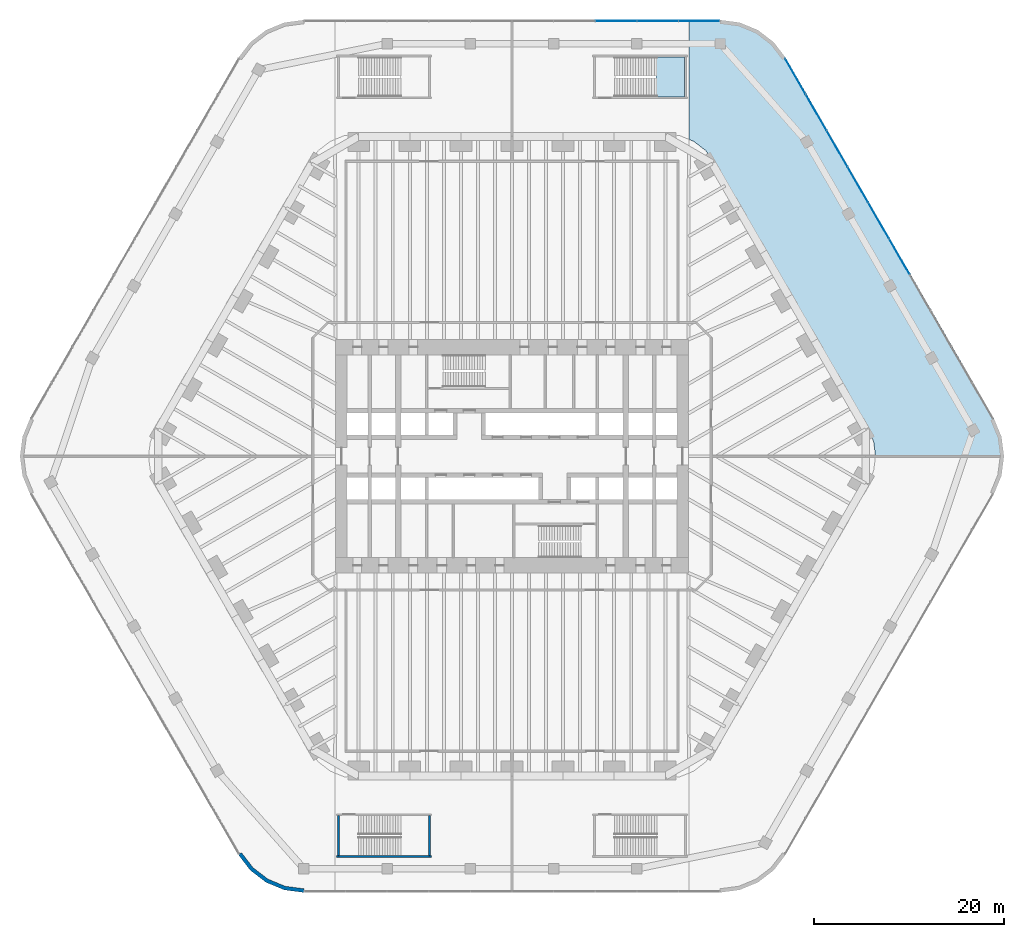
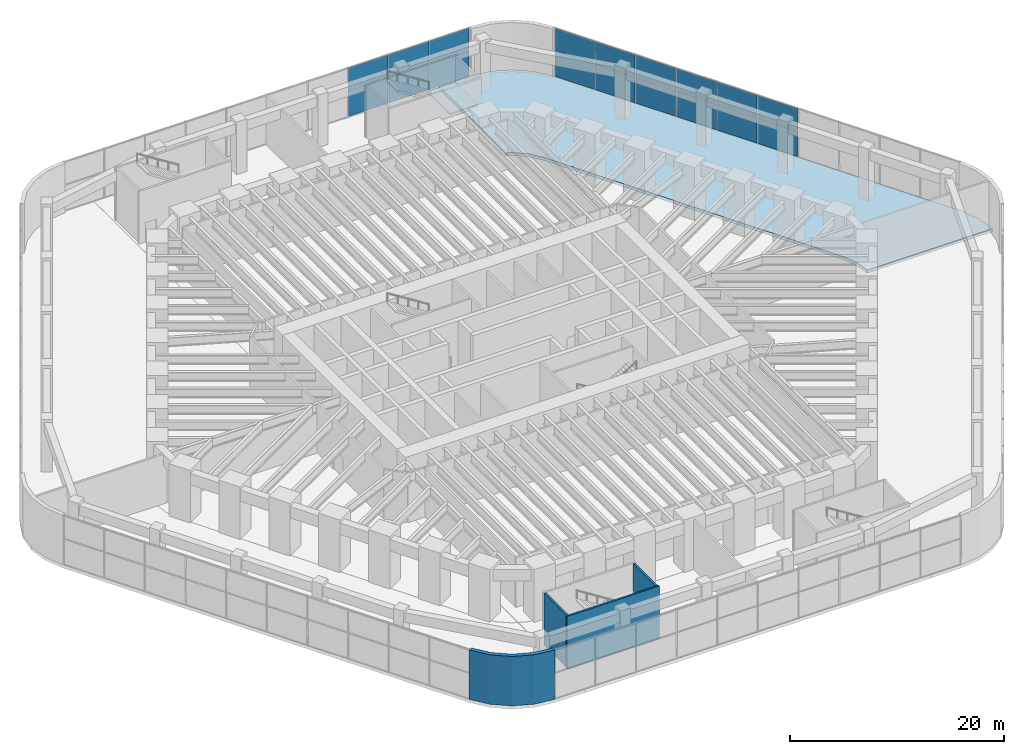
# One storey, part 25 of 31: 18 plates, 4 walls, 2 slabs, 3 elements without a shape of their own.
"""IFC4 building model written with IfcOpenShell, lengths in metres."""

import ifcopenshell
import ifcopenshell.guid

model = None  # the IFC model being written
_history = None  # IfcOwnerHistory: only IFC2X3 demands one
_inside = {}  # id of a spatial element -> (the spatial element, [elements in it])
_under = {}  # id of a project, library or spatial element -> (it, [spatial elements below it])
_declared = {}  # id of a project -> (the project, [libraries it declares])
_typed = {}  # id of a type object -> (the type object, [elements of that type])
_made_of = {}  # id of a material, layer set ... -> (it, [elements and type objects made of it])


def new_model(schema):
    """Start an empty IFC model of exactly this schema.

    Asked for "IFC4X3", IfcOpenShell would pick the latest addendum, in which some entities
    have other attributes; the version numbers below select the first issue.
    IFC2X3 requires an IfcOwnerHistory on every rooted entity: one is made here for all.
    """
    global model, _history
    if schema == "IFC4X3":
        model = ifcopenshell.file(schema_version=(4, 3, 0, 0))
    else:
        model = ifcopenshell.file(schema=schema)
    _inside.clear()
    _under.clear()
    _declared.clear()
    _typed.clear()
    _made_of.clear()
    _history = None
    if model.schema == "IFC2X3":
        org = make("IfcOrganization", Name="unknown")
        user = make(
            "IfcPersonAndOrganization",
            ThePerson=make("IfcPerson", FamilyName="unknown"),
            TheOrganization=org,
        )
        app = make(
            "IfcApplication",
            ApplicationDeveloper=org,
            Version="unknown",
            ApplicationFullName="unknown",
            ApplicationIdentifier="unknown",
        )
        _history = make(
            "IfcOwnerHistory",
            OwningUser=user,
            OwningApplication=app,
            ChangeAction="ADDED",
            CreationDate=0,
        )
    return model


def make(cls, **values):
    """One entity of the class cls with the attributes given. An attribute that is None is left unset."""
    return model.create_entity(
        cls, **{name: value for name, value in values.items() if value is not None}
    )


def rooted(cls, **values):
    """An entity with a GlobalId (a new one), such as an element, a storey or a relation."""
    return make(cls, GlobalId=ifcopenshell.guid.new(), OwnerHistory=_history, **values)


def si_unit(unit_type, name, prefix=None):
    """IfcSIUnit, for example si_unit("LENGTHUNIT", "METRE", prefix="MILLI")."""
    return make("IfcSIUnit", UnitType=unit_type, Prefix=prefix, Name=name)


def assignment(units):
    """IfcUnitAssignment: the units of a project."""
    return None if units is None else make("IfcUnitAssignment", Units=units)


def point(xyz):
    """IfcCartesianPoint."""
    return None if xyz is None else make("IfcCartesianPoint", Coordinates=xyz)


def direction(xyz):
    """IfcDirection."""
    return None if xyz is None else make("IfcDirection", DirectionRatios=xyz)


def frame(location, z_axis=None, x_axis=None):
    """IfcAxis2Placement3D, a coordinate frame: its origin and axes. An axis left out is left unset."""
    return make(
        "IfcAxis2Placement3D",
        Location=point(location),
        Axis=direction(z_axis),
        RefDirection=direction(x_axis),
    )


def frame_2d(location, x_axis=None):
    """IfcAxis2Placement2D, a coordinate frame in the plane: its origin and x axis."""
    return make(
        "IfcAxis2Placement2D", Location=point(location), RefDirection=direction(x_axis)
    )


def origin():
    """The frame at (0, 0, 0) with its axes left unset."""
    return frame((0.0, 0.0, 0.0))


def origin_2d():
    """The frame at (0, 0) in the plane with its x axis left unset."""
    return frame_2d((0.0, 0.0))


def place(relative_to, where):
    """IfcLocalPlacement: puts the frame where relative to a parent placement (None: the world)."""
    return make(
        "IfcLocalPlacement", PlacementRelTo=relative_to, RelativePlacement=where
    )


def context(
    kind, dimensions, precision=None, world=None, true_north=None, identifier=None
):
    """IfcGeometricRepresentationContext, for example the 3D "Model" context."""
    return make(
        "IfcGeometricRepresentationContext",
        ContextIdentifier=identifier,
        ContextType=kind,
        CoordinateSpaceDimension=dimensions,
        Precision=precision,
        WorldCoordinateSystem=world,
        TrueNorth=true_north,
    )


def subcontext(parent, identifier, kind, view, scale=None):
    """IfcGeometricRepresentationSubContext, for example "Body" below "Model"."""
    return make(
        "IfcGeometricRepresentationSubContext",
        ContextIdentifier=identifier,
        ContextType=kind,
        ParentContext=parent,
        TargetScale=scale,
        TargetView=view,
    )


def project(units=None, contexts=None):
    """IfcProject with its units and contexts."""
    return rooted(
        "IfcProject",
        Name="project",
        RepresentationContexts=contexts,
        UnitsInContext=assignment(units),
    )


def spatial(cls, under=None, at=None, **own):
    """A site, building, storey or space (cls), placed at a placement, below another one or the project."""
    s = rooted(cls, ObjectPlacement=at, **own)
    if under is not None:
        _under.setdefault(under.id(), (under, []))[1].append(s)
    return s


def polyline(points):
    """IfcPolyline through the points."""
    return make("IfcPolyline", Points=[point(p) for p in points])


def profile(cls, at=None, kind="AREA", **sizes):
    """A parametric profile (cls). Its sizes go by their IFC names, for example OverallWidth=200.0."""
    return make(cls, ProfileType=kind, Position=at, **sizes)


def rectangle(**sizes):
    """IfcRectangleProfileDef."""
    return profile("IfcRectangleProfileDef", **sizes)


def outline(outer, holes=None, kind="AREA"):
    """IfcArbitraryClosedProfileDef: a profile drawn as a closed curve; with holes, ...WithVoids."""
    if holes is None:
        return make("IfcArbitraryClosedProfileDef", ProfileType=kind, OuterCurve=outer)
    return make(
        "IfcArbitraryProfileDefWithVoids",
        ProfileType=kind,
        OuterCurve=outer,
        InnerCurves=holes,
    )


def extrude(swept, where, along, depth):
    """IfcExtrudedAreaSolid: the profile swept, set in the frame where, extruded along a direction by depth."""
    return make(
        "IfcExtrudedAreaSolid",
        SweptArea=swept,
        Position=where,
        ExtrudedDirection=direction(along),
        Depth=depth,
    )


def shape(context_of_items, identifier, shape_type, items):
    """IfcShapeRepresentation: the items that make up one representation, for example the "Body"."""
    return make(
        "IfcShapeRepresentation",
        ContextOfItems=context_of_items,
        RepresentationIdentifier=identifier,
        RepresentationType=shape_type,
        Items=items,
    )


def material(Name=None, Category=None):
    """IfcMaterial."""
    return make("IfcMaterial", Name=Name, Category=Category)


def layer(
    of_material, thickness, ventilated=None, Name=None, Category=None, Priority=None
):
    """IfcMaterialLayer: one layer of a wall or slab, of a material (None: an air gap)."""
    return make(
        "IfcMaterialLayer",
        Material=of_material,
        LayerThickness=thickness,
        IsVentilated=ventilated,
        Name=Name,
        Category=Category,
        Priority=Priority,
    )


def layer_set(layers, Name=None):
    """IfcMaterialLayerSet."""
    return make("IfcMaterialLayerSet", MaterialLayers=layers, LayerSetName=Name)


def made_of(thing, what):
    """Note that an element or type object is made of a material, layer set ...; save() writes the relation."""
    if what is not None:
        _made_of.setdefault(what.id(), (what, []))[1].append(thing)
    return thing


def type_object(cls, material=None, **own):
    """A type object (cls), such as IfcWallType, which elements share."""
    return made_of(rooted(cls, **own), material)


def element(
    cls,
    number,
    at=None,
    inside=None,
    cuts=None,
    type_object=None,
    material=None,
    context=None,
    identifier="Body",
    shape_type=None,
    held_by="IfcProductDefinitionShape",
    body=None,
    shapes=None,
    **own,
):
    """One element of the class cls, such as IfcWall. Its Tag is "e" and its number.

    at: its placement. inside: the storey or other place that contains it. cuts: it is an
    opening in that element (IfcRelVoidsElement). A single representation is given by context,
    identifier, shape_type and body (its items); several are given by shapes. held_by: the class
    of the entity that holds the representations. save() writes the other relations.
    """
    e = rooted(cls, Tag="e%d" % number, ObjectPlacement=at, **own)
    if body is not None:
        shapes = [shape(context, identifier, shape_type, body)]
    if shapes is not None:
        e.Representation = make(held_by, Representations=shapes)
    if inside is not None:
        _inside.setdefault(inside.id(), (inside, []))[1].append(e)
    if cuts is not None:
        rooted(
            "IfcRelVoidsElement", RelatingBuildingElement=cuts, RelatedOpeningElement=e
        )
    if type_object is not None:
        _typed.setdefault(type_object.id(), (type_object, []))[1].append(e)
    return made_of(e, material)


def aggregate(whole, parts):
    """IfcRelAggregates: a whole, such as a stair, and the parts it consists of."""
    return rooted("IfcRelAggregates", RelatingObject=whole, RelatedObjects=parts)


def save(model, path):
    """Write the relations noted so far, then the file.

    IfcRelAggregates (storeys below a building ...), IfcRelContainedInSpatialStructure (elements
    in a storey), IfcRelDefinesByType, IfcRelAssociatesMaterial and IfcRelDeclares: one each for
    every whole, place, type object, material and project.
    """
    for whole, parts in _under.values():
        aggregate(whole, parts)
    for where, things in _inside.values():
        rooted(
            "IfcRelContainedInSpatialStructure",
            RelatedElements=things,
            RelatingStructure=where,
        )
    for kind, things in _typed.values():
        rooted("IfcRelDefinesByType", RelatedObjects=things, RelatingType=kind)
    for what, things in _made_of.values():
        rooted("IfcRelAssociatesMaterial", RelatedObjects=things, RelatingMaterial=what)
    for by, libraries in _declared.values():
        rooted("IfcRelDeclares", RelatingContext=by, RelatedDefinitions=libraries)
    model.write(path)


model = new_model("IFC4")

# Units and contexts
model_context = context("Model", 3, precision=1e-05, world=origin(), true_north=direction((0.0, 1.0)))
body_context = subcontext(model_context, "Body", "Model", "MODEL_VIEW")
ifc_project = project(units=[si_unit("LENGTHUNIT", "METRE"), si_unit("AREAUNIT", "SQUARE_METRE"), si_unit("VOLUMEUNIT", "CUBIC_METRE"), si_unit("PLANEANGLEUNIT", "RADIAN"), si_unit("MASSUNIT", "GRAM", prefix="KILO")], contexts=[model_context])

# Site, building, storey
site_placement = place(None, origin())
site = spatial("IfcSite", under=ifc_project, at=site_placement, CompositionType="ELEMENT")
building_placement = place(site_placement, origin())
building = spatial("IfcBuilding", under=site, at=building_placement, Name="Tarfa Lantern Tower", CompositionType="ELEMENT")
storey_placement = place(building_placement, frame((0.0, 0.0, 7.0)))
storey = spatial("IfcBuildingStorey", under=building, at=storey_placement, Name="L01", CompositionType="ELEMENT", Elevation=7.0)

# Curtain wall, plates
ifc_material_1 = material(Name="Aluminium framed curtain wall", Category="aluminium")
curtain_wall_type = type_object("IfcCurtainWallType", Name="CW7 PODIUM GLAZING 5650", PredefinedType="USERDEFINED", material=ifc_material_1)
curtain_wall_1_placement = place(storey_placement, origin())
curtain_wall_1 = element("IfcCurtainWall", 1, at=curtain_wall_1_placement, inside=storey, type_object=curtain_wall_type, Name="CW7 NE L01", ObjectType="CURTAIN WALL", PredefinedType="USERDEFINED")
ifc_material_2 = material(Name="Laminated double glazing", Category="glass")
ifc_layer_1 = layer(ifc_material_2, 0.028076171875)
ifc_layer_set_1 = layer_set([ifc_layer_1], Name="CWP1 DOUBLE GLAZED PANEL")
plate_type = type_object("IfcPlateType", Name="CWP1 DOUBLE GLAZED PANEL", PredefinedType="CURTAIN_PANEL", material=ifc_layer_set_1)
plate_1_placement = place(storey_placement, frame((40.847412109375, 21.050048828125, 0.06494140625), z_axis=(0.0, 0.0, 1.0), x_axis=(-0.5, 0.866025403784, 0.0)))
plate_1 = element("IfcPlate", 2, at=plate_1_placement, type_object=plate_type, Name="CW7 panel 5.1", PredefinedType="CURTAIN_PANEL", context=body_context, shape_type="SweptSolid", body=[
    extrude(rectangle(XDim=4.32275390625, YDim=0.028076171875, at=origin_2d()), origin(), (0.0, 0.0, 1.0), 2.902587890625),
])
plate_2_placement = place(storey_placement, frame((40.847412109375, 21.050048828125, 3.03271484375), z_axis=(0.0, 0.0, 1.0), x_axis=(-0.5, 0.866025403784, 0.0)))
plate_2 = element("IfcPlate", 3, at=plate_2_placement, type_object=plate_type, Name="CW7 panel 5.2", PredefinedType="CURTAIN_PANEL", context=body_context, shape_type="SweptSolid", body=[
    extrude(rectangle(XDim=4.32275390625, YDim=0.028076171875, at=origin_2d()), origin(), (0.0, 0.0, 1.0), 2.552490234375),
])
plate_3_placement = place(storey_placement, frame((38.653564453125, 24.85009765625, 0.06494140625), z_axis=(0.0, 0.0, 1.0), x_axis=(-0.5, 0.866025403784, 0.0)))
plate_3 = element("IfcPlate", 4, at=plate_3_placement, type_object=plate_type, Name="CW7 panel 6.1", PredefinedType="CURTAIN_PANEL", context=body_context, shape_type="SweptSolid", body=[
    extrude(rectangle(XDim=4.32275390625, YDim=0.028076171875, at=origin_2d()), origin(), (0.0, 0.0, 1.0), 2.902587890625),
])
plate_4_placement = place(storey_placement, frame((38.653564453125, 24.85009765625, 3.03271484375), z_axis=(0.0, 0.0, 1.0), x_axis=(-0.5, 0.866025403784, 0.0)))
plate_4 = element("IfcPlate", 5, at=plate_4_placement, type_object=plate_type, Name="CW7 panel 6.2", PredefinedType="CURTAIN_PANEL", context=body_context, shape_type="SweptSolid", body=[
    extrude(rectangle(XDim=4.32275390625, YDim=0.028076171875, at=origin_2d()), origin(), (0.0, 0.0, 1.0), 2.552490234375),
])
plate_5_placement = place(storey_placement, frame((36.459716796875, 28.64990234375, 0.06494140625), z_axis=(0.0, 0.0, 1.0), x_axis=(-0.5, 0.866025403784, 0.0)))
plate_5 = element("IfcPlate", 6, at=plate_5_placement, type_object=plate_type, Name="CW7 panel 7.1", PredefinedType="CURTAIN_PANEL", context=body_context, shape_type="SweptSolid", body=[
    extrude(rectangle(XDim=4.32275390625, YDim=0.028076171875, at=origin_2d()), origin(), (0.0, 0.0, 1.0), 2.902587890625),
])
plate_6_placement = place(storey_placement, frame((36.459716796875, 28.64990234375, 3.03271484375), z_axis=(0.0, 0.0, 1.0), x_axis=(-0.5, 0.866025403784, 0.0)))
plate_6 = element("IfcPlate", 7, at=plate_6_placement, type_object=plate_type, Name="CW7 panel 7.2", PredefinedType="CURTAIN_PANEL", context=body_context, shape_type="SweptSolid", body=[
    extrude(rectangle(XDim=4.32275390625, YDim=0.028076171875, at=origin_2d()), origin(), (0.0, 0.0, 1.0), 2.552490234375),
])
plate_7_placement = place(storey_placement, frame((34.265625, 32.449951171875, 0.06494140625), z_axis=(0.0, 0.0, 1.0), x_axis=(-0.5, 0.866025403784, 0.0)))
plate_7 = element("IfcPlate", 8, at=plate_7_placement, type_object=plate_type, Name="CW7 panel 8.1", PredefinedType="CURTAIN_PANEL", context=body_context, shape_type="SweptSolid", body=[
    extrude(rectangle(XDim=4.32275390625, YDim=0.028076171875, at=origin_2d()), origin(), (0.0, 0.0, 1.0), 2.902587890625),
])
plate_8_placement = place(storey_placement, frame((34.265625, 32.449951171875, 3.03271484375), z_axis=(0.0, 0.0, 1.0), x_axis=(-0.5, 0.866025403784, 0.0)))
plate_8 = element("IfcPlate", 9, at=plate_8_placement, type_object=plate_type, Name="CW7 panel 8.2", PredefinedType="CURTAIN_PANEL", context=body_context, shape_type="SweptSolid", body=[
    extrude(rectangle(XDim=4.32275390625, YDim=0.028076171875, at=origin_2d()), origin(), (0.0, 0.0, 1.0), 2.552490234375),
])
plate_9_placement = place(storey_placement, frame((32.07177734375, 36.25, 0.06494140625), z_axis=(0.0, 0.0, 1.0), x_axis=(-0.5, 0.866025403784, 0.0)))
plate_9 = element("IfcPlate", 10, at=plate_9_placement, type_object=plate_type, Name="CW7 panel 9.1", PredefinedType="CURTAIN_PANEL", context=body_context, shape_type="SweptSolid", body=[
    extrude(rectangle(XDim=4.32275390625, YDim=0.028076171875, at=origin_2d()), origin(), (0.0, 0.0, 1.0), 2.902587890625),
])
plate_10_placement = place(storey_placement, frame((32.07177734375, 36.25, 3.03271484375), z_axis=(0.0, 0.0, 1.0), x_axis=(-0.5, 0.866025403784, 0.0)))
plate_10 = element("IfcPlate", 11, at=plate_10_placement, type_object=plate_type, Name="CW7 panel 9.2", PredefinedType="CURTAIN_PANEL", context=body_context, shape_type="SweptSolid", body=[
    extrude(rectangle(XDim=4.32275390625, YDim=0.028076171875, at=origin_2d()), origin(), (0.0, 0.0, 1.0), 2.552490234375),
])
plate_11_placement = place(storey_placement, frame((29.885986328125, 40.035888671875, 0.06494140625), z_axis=(0.0, 0.0, 1.0), x_axis=(-0.5, 0.866025403784, 0.0)))
plate_11 = element("IfcPlate", 12, at=plate_11_placement, type_object=plate_type, Name="CW7 panel 10.1", PredefinedType="CURTAIN_PANEL", context=body_context, shape_type="SweptSolid", body=[
    extrude(rectangle(XDim=4.290283203125, YDim=0.028076171875, at=origin_2d()), origin(), (0.0, 0.0, 1.0), 2.902587890625),
])
plate_12_placement = place(storey_placement, frame((29.885986328125, 40.035888671875, 3.03271484375), z_axis=(0.0, 0.0, 1.0), x_axis=(-0.5, 0.866025403784, 0.0)))
plate_12 = element("IfcPlate", 13, at=plate_12_placement, type_object=plate_type, Name="CW7 panel 10.2", PredefinedType="CURTAIN_PANEL", context=body_context, shape_type="SweptSolid", body=[
    extrude(rectangle(XDim=4.290283203125, YDim=0.028076171875, at=origin_2d()), origin(), (0.0, 0.0, 1.0), 2.552490234375),
])
aggregate(curtain_wall_1, [plate_1, plate_2, plate_3, plate_4, plate_5, plate_6, plate_7, plate_8, plate_9, plate_10, plate_11, plate_12])

curtain_wall_2_placement = place(storey_placement, origin())
curtain_wall_2 = element("IfcCurtainWall", 14, at=curtain_wall_2_placement, inside=storey, type_object=curtain_wall_type, Name="CW7 N L01", ObjectType="CURTAIN WALL", PredefinedType="USERDEFINED")
plate_13_placement = place(storey_placement, frame((19.729248046875, 45.89990234375, 0.06494140625), z_axis=(0.0, 0.0, 1.0), x_axis=(-1.0, 0.0, 0.0)))
plate_13 = element("IfcPlate", 15, at=plate_13_placement, type_object=plate_type, Name="CW7 panel 1.1", PredefinedType="CURTAIN_PANEL", context=body_context, shape_type="SweptSolid", body=[
    extrude(rectangle(XDim=4.290283203125, YDim=0.028076171875, at=origin_2d()), origin(), (0.0, 0.0, 1.0), 2.902587890625),
])
plate_14_placement = place(storey_placement, frame((19.729248046875, 45.89990234375, 3.03271484375), z_axis=(0.0, 0.0, 1.0), x_axis=(-1.0, 0.0, 0.0)))
plate_14 = element("IfcPlate", 16, at=plate_14_placement, type_object=plate_type, Name="CW7 panel 1.2", PredefinedType="CURTAIN_PANEL", context=body_context, shape_type="SweptSolid", body=[
    extrude(rectangle(XDim=4.290283203125, YDim=0.028076171875, at=origin_2d()), origin(), (0.0, 0.0, 1.0), 2.552490234375),
])
plate_15_placement = place(storey_placement, frame((15.357421875, 45.89990234375, 0.06494140625), z_axis=(0.0, 0.0, 1.0), x_axis=(-1.0, 0.0, 0.0)))
plate_15 = element("IfcPlate", 17, at=plate_15_placement, type_object=plate_type, Name="CW7 panel 2.1", PredefinedType="CURTAIN_PANEL", context=body_context, shape_type="SweptSolid", body=[
    extrude(rectangle(XDim=4.32275390625, YDim=0.028076171875, at=origin_2d()), origin(), (0.0, 0.0, 1.0), 2.902587890625),
])
plate_16_placement = place(storey_placement, frame((15.357421875, 45.89990234375, 3.03271484375), z_axis=(0.0, 0.0, 1.0), x_axis=(-1.0, 0.0, 0.0)))
plate_16 = element("IfcPlate", 18, at=plate_16_placement, type_object=plate_type, Name="CW7 panel 2.2", PredefinedType="CURTAIN_PANEL", context=body_context, shape_type="SweptSolid", body=[
    extrude(rectangle(XDim=4.32275390625, YDim=0.028076171875, at=origin_2d()), origin(), (0.0, 0.0, 1.0), 2.552490234375),
])
plate_17_placement = place(storey_placement, frame((10.9697265625, 45.89990234375, 0.06494140625), z_axis=(0.0, 0.0, 1.0), x_axis=(-1.0, 0.0, 0.0)))
plate_17 = element("IfcPlate", 19, at=plate_17_placement, type_object=plate_type, Name="CW7 panel 3.1", PredefinedType="CURTAIN_PANEL", context=body_context, shape_type="SweptSolid", body=[
    extrude(rectangle(XDim=4.32275390625, YDim=0.028076171875, at=origin_2d()), origin(), (0.0, 0.0, 1.0), 2.902587890625),
])
plate_18_placement = place(storey_placement, frame((10.9697265625, 45.89990234375, 3.03271484375), z_axis=(0.0, 0.0, 1.0), x_axis=(-1.0, 0.0, 0.0)))
plate_18 = element("IfcPlate", 20, at=plate_18_placement, type_object=plate_type, Name="CW7 panel 3.2", PredefinedType="CURTAIN_PANEL", context=body_context, shape_type="SweptSolid", body=[
    extrude(rectangle(XDim=4.32275390625, YDim=0.028076171875, at=origin_2d()), origin(), (0.0, 0.0, 1.0), 2.552490234375),
])
aggregate(curtain_wall_2, [plate_13, plate_14, plate_15, plate_16, plate_17, plate_18])

# Slab
ifc_material_3 = material(Name="Concrete C40/50", Category="concrete")
ifc_layer_2 = layer(ifc_material_3, 0.35009765625)
ifc_layer_set_2 = layer_set([ifc_layer_2], Name="FS3 FLOOR SLAB 350")
slab_type_1 = type_object("IfcSlabType", Name="FS3 FLOOR SLAB 350", PredefinedType="FLOOR", material=ifc_layer_set_2)
slab_1_placement = place(storey_placement, frame((0.0, 0.0, -0.35009765625)))
element("IfcSlab", 21, at=slab_1_placement, inside=storey, type_object=slab_type_1, Name="Floor slab L01 podium-NE bay", PredefinedType="FLOOR", context=body_context, shape_type="SweptSolid", body=[
    extrude(outline(polyline([(50.804931640625, 3.9990234375), (28.865966796875, 41.998779296875), (27.5947265625, 43.655517578125), (25.938232421875, 44.926513671875), (24.00927734375, 45.725341796875), (21.939208984375, 45.998046875), (18.673828125, 45.998046875), (18.64697265625, 33.4130859375), (19.166748046875, 33.197998046875), (20.409912109375, 32.244140625), (21.363525390625, 31.001220703125), (37.529541015625, 3.0009765625), (38.129150390625, 1.553466796875), (38.333251953125, 0.001953125), (51.876220703125, 0.001953125), (51.60400390625, 2.070068359375), (50.804931640625, 3.9990234375)])), origin(), (0.0, 0.0, 1.0), 0.35009765625),
])

# Stair, slab
stair_type = type_object("IfcStairType", Name="ST-T6 HALF-TURN STAIR 6000 RISE", PredefinedType="HALF_TURN_STAIR", material=ifc_material_3)
stair_placement = place(storey_placement, origin())
stair = element("IfcStair", 22, at=stair_placement, inside=storey, type_object=stair_type, Name="Stair ST3", PredefinedType="HALF_TURN_STAIR")
ifc_layer_3 = layer(ifc_material_3, 0.199951171875)
ifc_layer_set_3 = layer_set([ifc_layer_3], Name="SL1 STAIR LANDING 200")
slab_type_2 = type_object("IfcSlabType", Name="SL1 STAIR LANDING 200", PredefinedType="LANDING", material=ifc_layer_set_3)
slab_2_placement = place(storey_placement, frame((0.0, 0.0, 2.800048828125)))
slab_2 = element("IfcSlab", 23, at=slab_2_placement, type_object=slab_type_2, Name="ST3 landing 1", PredefinedType="LANDING", context=body_context, shape_type="SweptSolid", body=[
    extrude(outline(polyline([(15.179931640625, 37.89990234375), (18.199951171875, 37.89990234375), (18.199951171875, 42.10009765625), (15.179931640625, 42.10009765625), (15.179931640625, 37.89990234375)])), origin(), (0.0, 0.0, 1.0), 0.199951171875),
])
aggregate(stair, [slab_2])

# Walls
ifc_material_4 = material(Name="Limestone cladding on blockwork", Category="masonry")
ifc_layer_4 = layer(ifc_material_4, 0.39990234375)
ifc_layer_set_4 = layer_set([ifc_layer_4], Name="EW2 CURVED STONE CORNER 400")
wall_type_1 = type_object("IfcWallType", Name="EW2 CURVED STONE CORNER 400", PredefinedType="SOLIDWALL", material=ifc_layer_set_4)
wall_1_placement = place(storey_placement, origin())
element("IfcWall", 24, at=wall_1_placement, inside=storey, type_object=wall_type_1, Name="Stone corner SW-S", PredefinedType="SOLIDWALL", context=body_context, shape_type="SweptSolid", body=[
    extrude(outline(polyline([(-28.867431640625, -42.0), (-27.59619140625, -43.65673828125), (-25.939208984375, -44.92822265625), (-24.009765625, -45.727294921875), (-21.939208984375, -46.0), (-21.939208984375, -45.60009765625), (-23.90625, -45.341064453125), (-25.7392578125, -44.581787109375), (-27.313232421875, -43.3740234375), (-28.52099609375, -41.800048828125), (-28.867431640625, -42.0)])), origin(), (0.0, 0.0, 1.0), 5.64990234375),
])
ifc_material_5 = material(Name="Concrete C80/95", Category="concrete")
ifc_layer_5 = layer(ifc_material_5, 0.199951171875)
ifc_layer_set_5 = layer_set([ifc_layer_5], Name="SW12 CORE WALL 200")
wall_type_2 = type_object("IfcWallType", Name="SW12 CORE WALL 200", PredefinedType="SHEAR", material=ifc_layer_set_5)
wall_2_placement = place(storey_placement, frame((-18.5, -42.199951171875, 0.0), z_axis=(0.0, 0.0, 1.0), x_axis=(1.0, 0.0, 0.0)))
element("IfcWall", 25, at=wall_2_placement, inside=storey, type_object=wall_type_2, Name="Stair ST5 shaft wall", PredefinedType="SHEAR", context=body_context, shape_type="SweptSolid", body=[
    extrude(rectangle(XDim=10.0, YDim=0.199951171875, at=frame_2d((5.0, 0.0))), origin(), (0.0, 0.0, 1.0), 6.0),
])
for number, where, z_axis, x_axis, name in (
    (26, (-18.300048828125, -37.89990234375, 0.0), (0.0, 0.0, 1.0), (0.0, -1.0, 0.0), "Stair ST5 shaft wall"),
    (27, (-8.699951171875, -42.10009765625, 0.0), (0.0, 0.0, 1.0), (0.0, 1.0, 0.0), "Stair ST5 shaft wall"),
):
    element("IfcWall", number, at=place(storey_placement, frame(where, z_axis=z_axis, x_axis=x_axis)), inside=storey, type_object=wall_type_2, Name=name, PredefinedType="SHEAR", context=body_context, shape_type="SweptSolid", body=[
        extrude(rectangle(XDim=4.2001953125, YDim=0.199951171875, at=frame_2d((2.10009765625, 0.0))), origin(), (0.0, 0.0, 1.0), 6.0),
    ])

save(model, "model.ifc")
